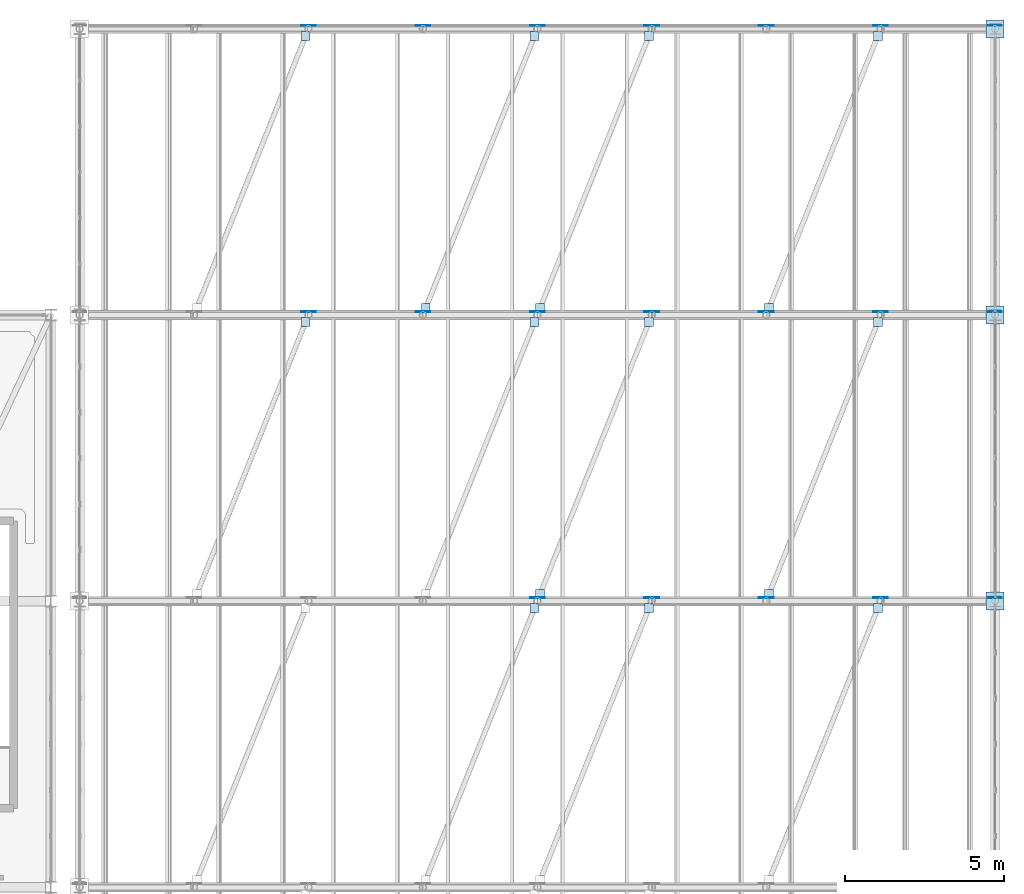
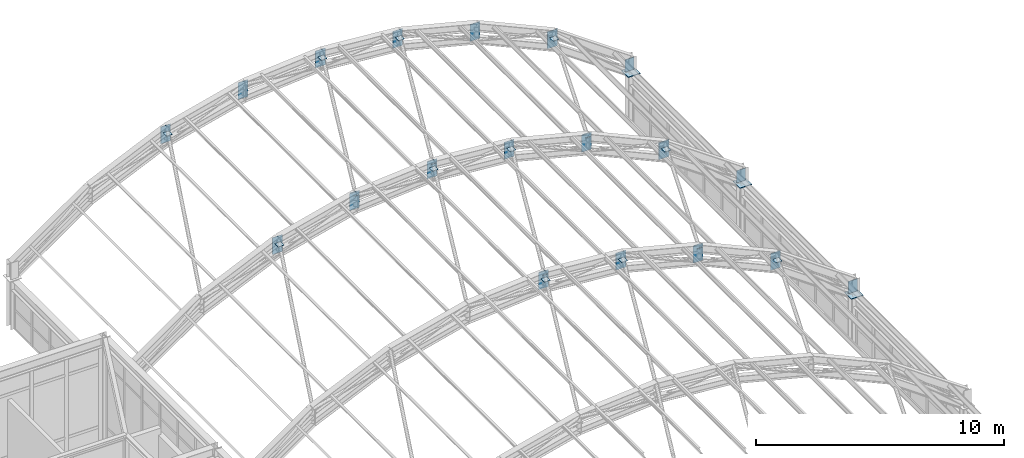
# One storey, part 114 of 121: 38 plates.
"""IFC4 building model written with IfcOpenShell, lengths in metres."""

from ifc_helpers import new_model, si_unit, direction, frame, origin, origin_2d, place, context, subcontext, project, spatial, rectangle, extrude, material, layer, layer_set, type_object, element, save


model = new_model("IFC4")

# Units and contexts
model_context = context("Model", 3, precision=1e-05, world=origin(), true_north=direction((0.0, 1.0)))
body_context = subcontext(model_context, "Body", "Model", "MODEL_VIEW")
ifc_project = project(units=[si_unit("LENGTHUNIT", "METRE"), si_unit("AREAUNIT", "SQUARE_METRE"), si_unit("VOLUMEUNIT", "CUBIC_METRE"), si_unit("PLANEANGLEUNIT", "RADIAN"), si_unit("MASSUNIT", "GRAM", prefix="KILO")], contexts=[model_context])

# Site, building, storey
site_placement = place(None, origin())
site = spatial("IfcSite", under=ifc_project, at=site_placement, CompositionType="ELEMENT")
building_placement = place(site_placement, origin())
building = spatial("IfcBuilding", under=site, at=building_placement, Name="Canglan Escarpment Cableway Terminal", CompositionType="ELEMENT")
storey_placement = place(building_placement, frame((0.0, 0.0, 24.60009765625)))
storey = spatial("IfcBuildingStorey", under=building, at=storey_placement, Name="L05", CompositionType="ELEMENT", Elevation=24.60009765625)

# Plates
ifc_material = material(Name="Steel Q355B", Category="steel")
ifc_layer_1 = layer(ifc_material, 0.031982421875, Name="Steel Q355B")
ifc_layer_set_1 = layer_set([ifc_layer_1], Name="Steel Q355B")
plate_type_1 = type_object("IfcPlateType", Name="PLT-BASE-32", PredefinedType="USERDEFINED", material=ifc_layer_set_1)
for number, where, z_axis, x_axis, name in (
    (1, (166.39990234375, 106.0, 2.4326171875), (0.0, 0.0, 1.0), (1.0, 0.0, 0.0), "Arch springing base plate BP-01"),
    (2, (166.39990234375, 115.0, 2.4326171875), (0.0, 0.0, 1.0), (1.0, 0.0, 0.0), "Arch springing base plate BP-01"),
    (3, (166.39990234375, 124.0, 2.4326171875), (0.0, 0.0, 1.0), (1.0, 0.0, 0.0), "Arch springing base plate BP-01"),
):
    element("IfcPlate", number, at=place(storey_placement, frame(where, z_axis=z_axis, x_axis=x_axis)), inside=storey, type_object=plate_type_1, Name=name, ObjectType="BASE PLATE", PredefinedType="USERDEFINED", context=body_context, shape_type="SweptSolid", body=[
        extrude(rectangle(XDim=0.56005859375, YDim=0.56005859375, at=origin_2d()), origin(), (0.0, 0.0, 1.0), 0.031982421875),
    ])
ifc_layer_2 = layer(ifc_material, 0.01611328125, Name="Steel Q355B")
ifc_layer_set_2 = layer_set([ifc_layer_2], Name="Steel Q355B")
plate_type_2 = type_object("IfcPlateType", Name="PLT-GUSSET-16", PredefinedType="USERDEFINED", material=ifc_layer_set_2)
for number, where, z_axis, x_axis, name in (
    (4, (151.910888671875, 105.777099609375, 8.351806640625), (0.0, 0.0, 1.0), (1.0, 0.0, 0.0), "Roof wind brace end gusset plate GP-03"),
    (5, (155.510986328125, 105.777099609375, 8.055419921875), (0.0, 0.0, 1.0), (1.0, 0.0, 0.0), "Roof wind brace end gusset plate GP-03"),
    (6, (162.7109375, 105.777099609375, 5.5185546875), (0.0, 0.0, 1.0), (1.0, 0.0, 0.0), "Roof wind brace end gusset plate GP-03"),
    (7, (144.7109375, 114.777099609375, 7.140380859375), (0.0, 0.0, 1.0), (1.0, 0.0, 0.0), "Roof wind brace end gusset plate GP-03"),
    (8, (151.910888671875, 114.777099609375, 8.351806640625), (0.0, 0.0, 1.0), (1.0, 0.0, 0.0), "Roof wind brace end gusset plate GP-03"),
    (9, (152.089111328125, 106.222900390625, 8.351806640625), (0.0, 0.0, 1.0), (1.0, 0.0, 0.0), "Roof wind brace end gusset plate GP-03"),
    (10, (155.510986328125, 114.777099609375, 8.055419921875), (0.0, 0.0, 1.0), (1.0, 0.0, 0.0), "Roof wind brace end gusset plate GP-03"),
    (11, (159.2890625, 106.222900390625, 7.140380859375), (0.0, 0.0, 1.0), (1.0, 0.0, 0.0), "Roof wind brace end gusset plate GP-03"),
    (12, (162.7109375, 114.777099609375, 5.5185546875), (0.0, 0.0, 1.0), (1.0, 0.0, 0.0), "Roof wind brace end gusset plate GP-03"),
    (13, (144.7109375, 123.777099609375, 7.140380859375), (0.0, 0.0, 1.0), (1.0, 0.0, 0.0), "Roof wind brace end gusset plate GP-03"),
    (14, (148.489013671875, 115.222900390625, 8.055419921875), (0.0, 0.0, 1.0), (1.0, 0.0, 0.0), "Roof wind brace end gusset plate GP-03"),
    (15, (151.910888671875, 123.777099609375, 8.351806640625), (0.0, 0.0, 1.0), (1.0, 0.0, 0.0), "Roof wind brace end gusset plate GP-03"),
    (16, (152.089111328125, 115.222900390625, 8.351806640625), (0.0, 0.0, 1.0), (1.0, 0.0, 0.0), "Roof wind brace end gusset plate GP-03"),
    (17, (155.510986328125, 123.777099609375, 8.055419921875), (0.0, 0.0, 1.0), (1.0, 0.0, 0.0), "Roof wind brace end gusset plate GP-03"),
    (18, (159.2890625, 115.222900390625, 7.140380859375), (0.0, 0.0, 1.0), (1.0, 0.0, 0.0), "Roof wind brace end gusset plate GP-03"),
    (19, (162.7109375, 123.777099609375, 5.5185546875), (0.0, 0.0, 1.0), (1.0, 0.0, 0.0), "Roof wind brace end gusset plate GP-03"),
):
    element("IfcPlate", number, at=place(storey_placement, frame(where, z_axis=z_axis, x_axis=x_axis)), inside=storey, type_object=plate_type_2, Name=name, ObjectType="GUSSET PLATE", PredefinedType="USERDEFINED", context=body_context, shape_type="SweptSolid", body=[
        extrude(rectangle(XDim=0.280029296875, YDim=0.280029296875, at=origin_2d()), origin(), (0.0, 0.0, 1.0), 0.01611328125),
    ])
ifc_layer_3 = layer(ifc_material, 0.02392578125, Name="Steel Q355B")
ifc_layer_set_3 = layer_set([ifc_layer_3], Name="Steel Q355B")
plate_type_3 = type_object("IfcPlateType", Name="PLT-GUSSET-24", PredefinedType="USERDEFINED", material=ifc_layer_set_3)
for number, where, z_axis, x_axis, name in (
    (20, (152.0, 106.10498046875, 7.7099609375), (0.0, 0.0, 1.0), (1.0, 0.0, 0.0), "Arch-truss node gusset plate GP-01"),
    (21, (155.60009765625, 106.10498046875, 7.413330078125), (0.0, 0.0, 1.0), (1.0, 0.0, 0.0), "Arch-truss node gusset plate GP-01"),
    (22, (159.199951171875, 106.10498046875, 6.498291015625), (0.0, 0.0, 1.0), (1.0, 0.0, 0.0), "Arch-truss node gusset plate GP-01"),
    (23, (162.800048828125, 106.10498046875, 4.87646484375), (0.0, 0.0, 1.0), (1.0, 0.0, 0.0), "Arch-truss node gusset plate GP-01"),
):
    element("IfcPlate", number, at=place(storey_placement, frame(where, z_axis=z_axis, x_axis=x_axis)), inside=storey, type_object=plate_type_3, Name=name, ObjectType="GUSSET PLATE", PredefinedType="USERDEFINED", context=body_context, shape_type="SweptSolid", body=[
        extrude(rectangle(XDim=0.4599609375, YDim=0.02392578125, at=origin_2d()), origin(), (0.0, 0.0, 1.0), 0.830078125),
    ])
plate_1_placement = place(storey_placement, frame((166.39990234375, 106.10498046875, 2.4521484375), z_axis=(0.0, 0.0, 1.0), x_axis=(1.0, 0.0, 0.0)))
element("IfcPlate", 24, at=plate_1_placement, inside=storey, type_object=plate_type_3, Name="Arch-truss springing gusset plate GP-01", ObjectType="GUSSET PLATE", PredefinedType="USERDEFINED", context=body_context, shape_type="SweptSolid", body=[
    extrude(rectangle(XDim=0.419921875, YDim=0.02392578125, at=origin_2d()), origin(), (0.0, 0.0, 1.0), 0.610107421875),
])
for number, where, z_axis, x_axis, name in (
    (25, (144.800048828125, 115.10498046875, 6.498291015625), (0.0, 0.0, 1.0), (1.0, 0.0, 0.0), "Arch-truss node gusset plate GP-01"),
    (26, (148.39990234375, 115.10498046875, 7.413330078125), (0.0, 0.0, 1.0), (1.0, 0.0, 0.0), "Arch-truss node gusset plate GP-01"),
    (27, (152.0, 115.10498046875, 7.7099609375), (0.0, 0.0, 1.0), (1.0, 0.0, 0.0), "Arch-truss node gusset plate GP-01"),
    (28, (155.60009765625, 115.10498046875, 7.413330078125), (0.0, 0.0, 1.0), (1.0, 0.0, 0.0), "Arch-truss node gusset plate GP-01"),
    (29, (159.199951171875, 115.10498046875, 6.498291015625), (0.0, 0.0, 1.0), (1.0, 0.0, 0.0), "Arch-truss node gusset plate GP-01"),
    (30, (162.800048828125, 115.10498046875, 4.87646484375), (0.0, 0.0, 1.0), (1.0, 0.0, 0.0), "Arch-truss node gusset plate GP-01"),
):
    element("IfcPlate", number, at=place(storey_placement, frame(where, z_axis=z_axis, x_axis=x_axis)), inside=storey, type_object=plate_type_3, Name=name, ObjectType="GUSSET PLATE", PredefinedType="USERDEFINED", context=body_context, shape_type="SweptSolid", body=[
        extrude(rectangle(XDim=0.4599609375, YDim=0.02392578125, at=origin_2d()), origin(), (0.0, 0.0, 1.0), 0.830078125),
    ])
plate_2_placement = place(storey_placement, frame((166.39990234375, 115.10498046875, 2.4521484375), z_axis=(0.0, 0.0, 1.0), x_axis=(1.0, 0.0, 0.0)))
element("IfcPlate", 31, at=plate_2_placement, inside=storey, type_object=plate_type_3, Name="Arch-truss springing gusset plate GP-01", ObjectType="GUSSET PLATE", PredefinedType="USERDEFINED", context=body_context, shape_type="SweptSolid", body=[
    extrude(rectangle(XDim=0.419921875, YDim=0.02392578125, at=origin_2d()), origin(), (0.0, 0.0, 1.0), 0.610107421875),
])
for number, where, z_axis, x_axis, name in (
    (32, (144.800048828125, 124.10498046875, 6.498291015625), (0.0, 0.0, 1.0), (1.0, 0.0, 0.0), "Arch-truss node gusset plate GP-01"),
    (33, (148.39990234375, 124.10498046875, 7.413330078125), (0.0, 0.0, 1.0), (1.0, 0.0, 0.0), "Arch-truss node gusset plate GP-01"),
    (34, (152.0, 124.10498046875, 7.7099609375), (0.0, 0.0, 1.0), (1.0, 0.0, 0.0), "Arch-truss node gusset plate GP-01"),
    (35, (155.60009765625, 124.10498046875, 7.413330078125), (0.0, 0.0, 1.0), (1.0, 0.0, 0.0), "Arch-truss node gusset plate GP-01"),
    (36, (159.199951171875, 124.10498046875, 6.498291015625), (0.0, 0.0, 1.0), (1.0, 0.0, 0.0), "Arch-truss node gusset plate GP-01"),
    (37, (162.800048828125, 124.10498046875, 4.87646484375), (0.0, 0.0, 1.0), (1.0, 0.0, 0.0), "Arch-truss node gusset plate GP-01"),
):
    element("IfcPlate", number, at=place(storey_placement, frame(where, z_axis=z_axis, x_axis=x_axis)), inside=storey, type_object=plate_type_3, Name=name, ObjectType="GUSSET PLATE", PredefinedType="USERDEFINED", context=body_context, shape_type="SweptSolid", body=[
        extrude(rectangle(XDim=0.4599609375, YDim=0.02392578125, at=origin_2d()), origin(), (0.0, 0.0, 1.0), 0.830078125),
    ])
plate_3_placement = place(storey_placement, frame((166.39990234375, 124.10498046875, 2.4521484375), z_axis=(0.0, 0.0, 1.0), x_axis=(1.0, 0.0, 0.0)))
element("IfcPlate", 38, at=plate_3_placement, inside=storey, type_object=plate_type_3, Name="Arch-truss springing gusset plate GP-01", ObjectType="GUSSET PLATE", PredefinedType="USERDEFINED", context=body_context, shape_type="SweptSolid", body=[
    extrude(rectangle(XDim=0.419921875, YDim=0.02392578125, at=origin_2d()), origin(), (0.0, 0.0, 1.0), 0.610107421875),
])

save(model, "model.ifc")
